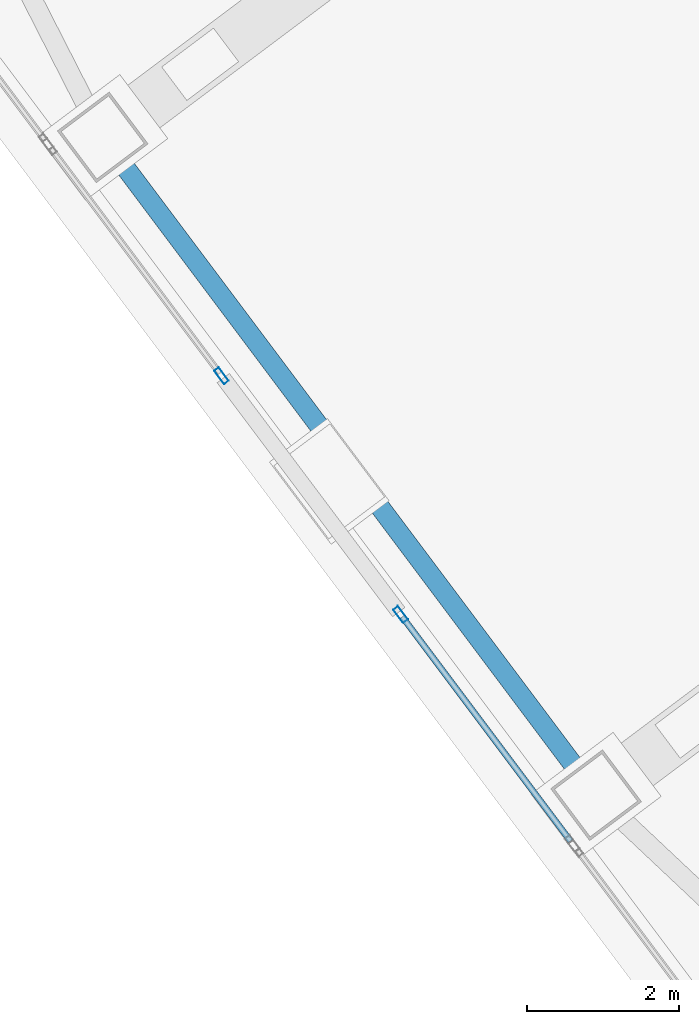
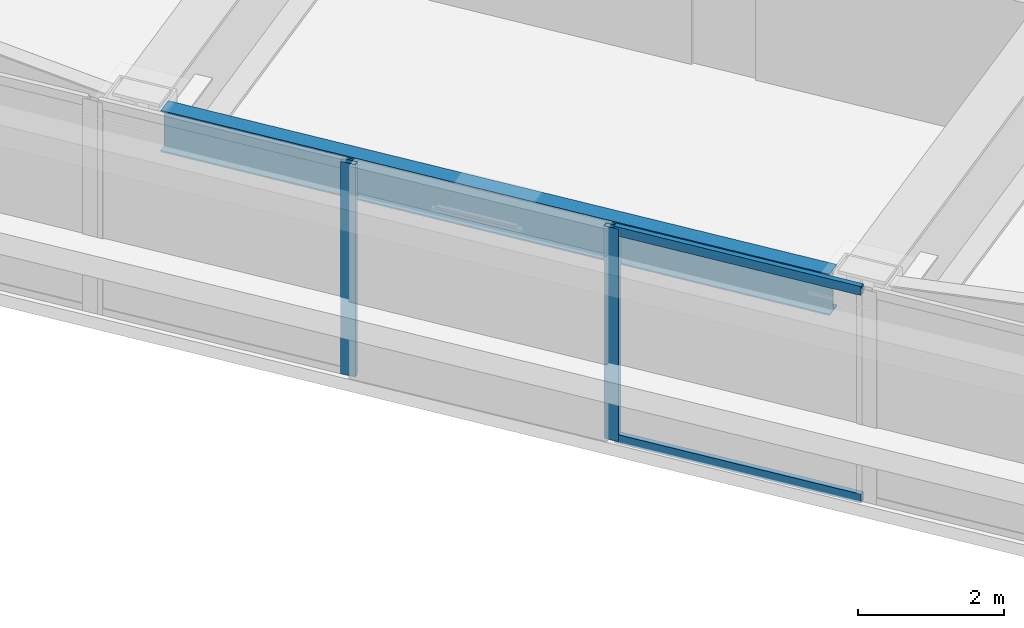
# One storey, part 17 of 49: 4 members, 1 beam, 2 elements without a shape of their own.
"""IFC4 building model written with IfcOpenShell, lengths in metres."""

from ifc_helpers import new_model, si_unit, direction, frame, origin, origin_2d, place, context, subcontext, project, spatial, hollow_rectangle, i_section, extrude, material, material_profile, profile_set, type_object, element, aggregate, save


model = new_model("IFC4")

# Units and contexts
model_context = context("Model", 3, precision=1e-05, world=origin(), true_north=direction((0.0, 1.0)))
body_context = subcontext(model_context, "Body", "Model", "MODEL_VIEW")
ifc_project = project(units=[si_unit("LENGTHUNIT", "METRE"), si_unit("AREAUNIT", "SQUARE_METRE"), si_unit("VOLUMEUNIT", "CUBIC_METRE"), si_unit("PLANEANGLEUNIT", "RADIAN"), si_unit("MASSUNIT", "GRAM", prefix="KILO")], contexts=[model_context])

# Site, building, storey
site_placement = place(None, origin())
site = spatial("IfcSite", under=ifc_project, at=site_placement, CompositionType="ELEMENT")
building_placement = place(site_placement, origin())
building = spatial("IfcBuilding", under=site, at=building_placement, Name="Tashvorn Skyway Center", CompositionType="ELEMENT")
storey_placement = place(building_placement, frame((0.0, 0.0, 106.25)))
storey = spatial("IfcBuildingStorey", under=building, at=storey_placement, Name="L28", CompositionType="ELEMENT", Elevation=106.25)

# Beam
ifc_material_1 = material(Name="Steel ASTM A992 Grade 50", Category="steel")
ifc_material_profile_1 = material_profile(ifc_material_1, i_section(OverallWidth=0.256103515625, OverallDepth=0.693115234375, WebThickness=0.014404296875, FlangeThickness=0.023681640625, at=origin_2d()), Name="W27X114")
ifc_profile_set_1 = profile_set([ifc_material_profile_1], Name="Steel ASTM A992 Grade 50")
beam_type = type_object("IfcBeamType", Name="BM-SPANDREL-W27X114", PredefinedType="SPANDREL", material=ifc_profile_set_1)
beam_placement = place(storey_placement, frame((95.612060546875, 24.43408203125, 2.903564453125), z_axis=(0.599988234018, -0.800008824351, 0.0), x_axis=(0.800008824351, 0.599988234018, 0.0)))
element("IfcBeam", 1, at=beam_placement, inside=storey, type_object=beam_type, Name="Tower 2 L28 Spandrel Beam 11", PredefinedType="SPANDREL", context=body_context, shape_type="SweptSolid", body=[
    extrude(i_section(OverallWidth=0.256103515625, OverallDepth=0.693115234375, WebThickness=0.014404296875, FlangeThickness=0.023681640625, at=origin_2d()), origin(), (0.0, 0.0, 1.0), 9.9599609375),
])

# Curtain wall, member
ifc_material_2 = material(Name="Thermally broken bronze-anodized aluminium 6063-T6", Category="aluminium")
curtain_wall_type = type_object("IfcCurtainWallType", Name="CW-CW-Z2", PredefinedType="NOTDEFINED", material=ifc_material_2)
curtain_wall_1_placement = place(storey_placement, origin())
curtain_wall_1 = element("IfcCurtainWall", 2, at=curtain_wall_1_placement, inside=storey, type_object=curtain_wall_type, Name="Tower 2 L28 West Unitised Curtain Wall Glazing Group 2", PredefinedType="NOTDEFINED")
ifc_material_profile_2 = material_profile(ifc_material_2, hollow_rectangle(XDim=0.080078125, YDim=0.219970703125, WallThickness=0.0048828125, at=origin_2d()), Name="ALU-MULL-80x220")
ifc_profile_set_2 = profile_set([ifc_material_profile_2], Name="Thermally broken bronze-anodized aluminium 6063-T6")
member_type_1 = type_object("IfcMemberType", Name="CWM-CW-Z2", PredefinedType="MULLION", material=ifc_profile_set_2)
member_1_placement = place(storey_placement, frame((99.27197265625, 18.50390625, 0.0), z_axis=(0.0, 0.0, 1.0), x_axis=(-0.799999999998, -0.600000000002, 0.0)))
member_1 = element("IfcMember", 3, at=member_1_placement, type_object=member_type_1, Name="CW-Z2 mullion 2", PredefinedType="MULLION", context=body_context, shape_type="SweptSolid", body=[
    extrude(hollow_rectangle(XDim=0.080078125, YDim=0.219970703125, WallThickness=0.0048828125, at=origin_2d()), origin(), (0.0, 0.0, 1.0), 3.550048828125),
])

curtain_wall_2_placement = place(storey_placement, origin())
curtain_wall_2 = element("IfcCurtainWall", 4, at=curtain_wall_2_placement, inside=storey, type_object=curtain_wall_type, Name="Tower 2 L28 West Unitised Curtain Wall Glazing Group 3", PredefinedType="NOTDEFINED")
member_2_placement = place(storey_placement, frame((96.919921875, 21.639892578125, 0.0), z_axis=(0.0, 0.0, 1.0), x_axis=(-0.799999999998, -0.600000000002, 0.0)))
member_2 = element("IfcMember", 5, at=member_2_placement, type_object=member_type_1, Name="CW-Z2 mullion 1", PredefinedType="MULLION", context=body_context, shape_type="SweptSolid", body=[
    extrude(hollow_rectangle(XDim=0.080078125, YDim=0.219970703125, WallThickness=0.0048828125, at=origin_2d()), origin(), (0.0, 0.0, 1.0), 3.550048828125),
])
aggregate(curtain_wall_2, [member_2])

# Member
ifc_material_profile_3 = material_profile(ifc_material_2, hollow_rectangle(XDim=0.080078125, YDim=0.14990234375, WallThickness=0.00439453125, at=origin_2d()), Name="ALU-TRAN-80x150")
ifc_profile_set_3 = profile_set([ifc_material_profile_3], Name="Thermally broken bronze-anodized aluminium 6063-T6")
member_type_2 = type_object("IfcMemberType", Name="CWT-CW-Z2", PredefinedType="USERDEFINED", material=ifc_profile_set_3)
member_3_placement = place(storey_placement, frame((101.50390625, 15.528076171875, 0.0400390625), z_axis=(-0.600021230084, 0.799984076997, 0.0), x_axis=(-0.799984076997, -0.600021230084, 0.0)))
member_3 = element("IfcMember", 6, at=member_3_placement, type_object=member_type_2, Name="CW-Z2 transom 1.1", ObjectType="TRANSOM", PredefinedType="USERDEFINED", context=body_context, shape_type="SweptSolid", body=[
    extrude(hollow_rectangle(XDim=0.080078125, YDim=0.14990234375, WallThickness=0.00439453125, at=origin_2d()), origin(), (0.0, 0.0, 1.0), 3.679931640625),
])

member_4_placement = place(storey_placement, frame((101.50390625, 15.528076171875, 3.510009765625), z_axis=(-0.600021230084, 0.799984076997, 0.0), x_axis=(-0.799984076997, -0.600021230084, 0.0)))
member_4 = element("IfcMember", 7, at=member_4_placement, type_object=member_type_2, Name="CW-Z2 transom 1.2", ObjectType="TRANSOM", PredefinedType="USERDEFINED", context=body_context, shape_type="SweptSolid", body=[
    extrude(hollow_rectangle(XDim=0.080078125, YDim=0.14990234375, WallThickness=0.00439453125, at=origin_2d()), origin(), (0.0, 0.0, 1.0), 3.679931640625),
])

aggregate(curtain_wall_1, [member_1, member_3, member_4])

save(model, "model.ifc")
